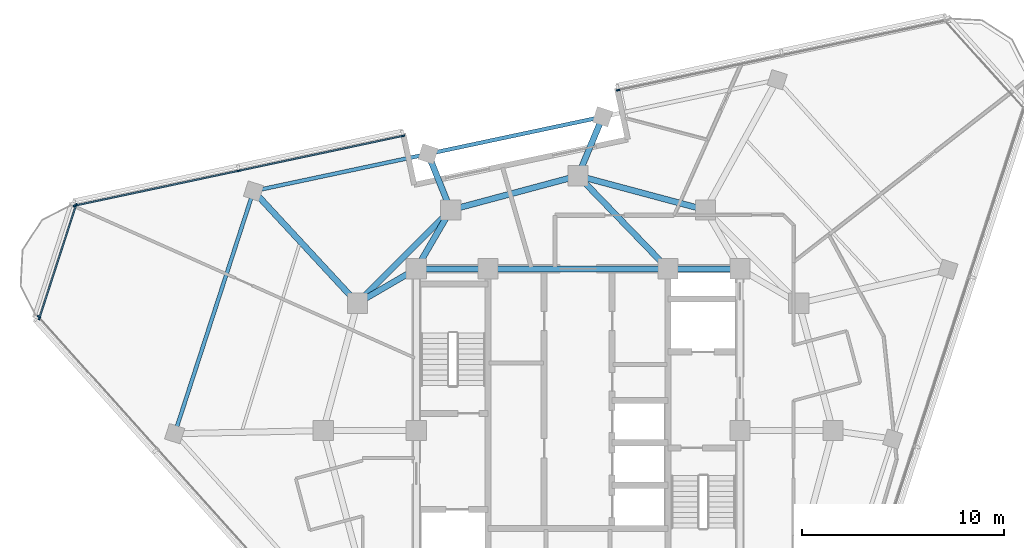
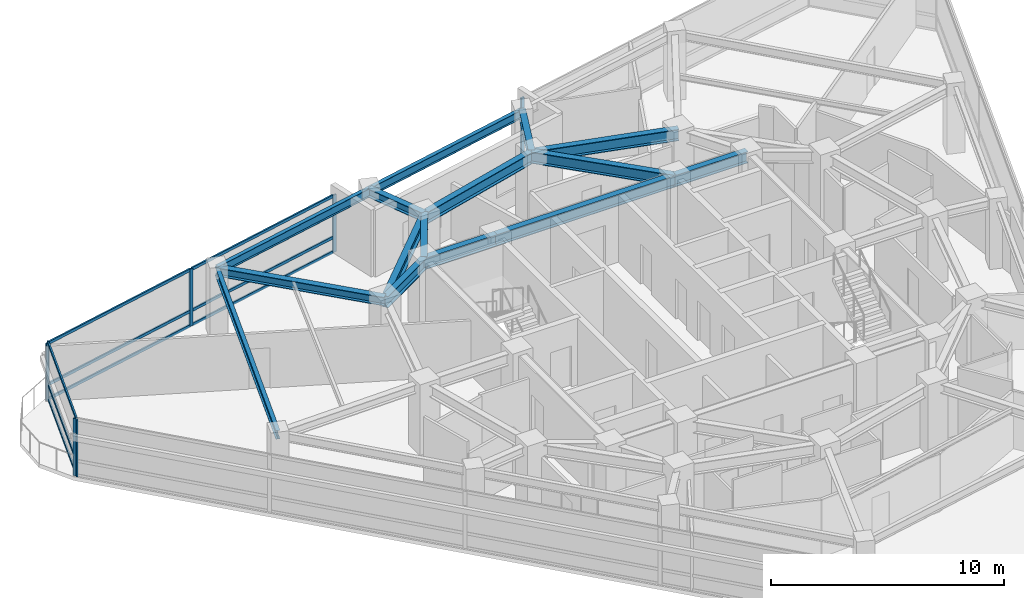
# One storey, part 5 of 15: 16 members, 15 beams, 4 elements without a shape of their own.
"""IFC4 building model written with IfcOpenShell, lengths in metres."""

from ifc_helpers import new_model, si_unit, direction, frame, origin, origin_2d, place, context, subcontext, project, spatial, rectangle, i_section, extrude, material, layer, layer_set, material_profile, profile_set, type_object, element, aggregate, save


model = new_model("IFC4")

# Units and contexts
model_context = context("Model", 3, precision=1e-05, world=origin(), true_north=direction((0.0, 1.0)))
body_context = subcontext(model_context, "Body", "Model", "MODEL_VIEW")
ifc_project = project(units=[si_unit("LENGTHUNIT", "METRE"), si_unit("AREAUNIT", "SQUARE_METRE"), si_unit("VOLUMEUNIT", "CUBIC_METRE"), si_unit("PLANEANGLEUNIT", "RADIAN"), si_unit("MASSUNIT", "GRAM", prefix="KILO")], contexts=[model_context])

# Site, building, storey
site_placement = place(None, origin())
site = spatial("IfcSite", under=ifc_project, at=site_placement, CompositionType="ELEMENT")
building_placement = place(site_placement, origin())
building = spatial("IfcBuilding", under=site, at=building_placement, Name="Terralouvre Media Tower", CompositionType="ELEMENT")
storey_placement = place(building_placement, frame((0.0, 0.0, 301.699951171875)))
storey = spatial("IfcBuildingStorey", under=building, at=storey_placement, Name="L78", CompositionType="ELEMENT", Elevation=301.699951171875)

# Curtain wall, members
ifc_material_1 = material(Name="Low-iron laminated double glazing with solar-control coating", Category="glass")
ifc_layer_1 = layer(ifc_material_1, 0.1650390625, Name="Faceted Glass-Point Crown Curtain Wall CW-06")
ifc_layer_set_1 = layer_set([ifc_layer_1], Name="Low-iron laminated double glazing with solar-control coating")
curtain_wall_type_1 = type_object("IfcCurtainWallType", Name="Faceted Glass-Point Crown Curtain Wall CW-06", PredefinedType="NOTDEFINED", material=ifc_layer_set_1)
curtain_wall_1_placement = place(storey_placement, origin())
curtain_wall_1 = element("IfcCurtainWall", 1, at=curtain_wall_1_placement, inside=storey, type_object=curtain_wall_type_1, Name="L78 Right Flank Curtain Wall F1", PredefinedType="NOTDEFINED")
ifc_material_2 = material(Name="Anodised extruded aluminium 6063-T6", Category="aluminium")
ifc_material_profile_1 = material_profile(ifc_material_2, rectangle(XDim=0.074951171875, YDim=0.14990234375, at=origin_2d()), Name="ALU 75x150")
ifc_profile_set_1 = profile_set([ifc_material_profile_1], Name="Anodised extruded aluminium 6063-T6")
member_type_1 = type_object("IfcMemberType", Name="Curtain-Wall Horizontal Transom TR-150", PredefinedType="USERDEFINED", material=ifc_profile_set_1)
member_1_placement = place(storey_placement, frame((-8.693603515625, 14.567138671875, 0.03759765625), z_axis=(-0.978148883033, -0.207905657984, 0.0), x_axis=(0.207905657984, -0.978148883033, 0.0)))
member_1 = element("IfcMember", 2, at=member_1_placement, type_object=member_type_1, Name="CW-06 transom 1.1", ObjectType="TRANSOM", PredefinedType="USERDEFINED", context=body_context, shape_type="SweptSolid", body=[
    extrude(rectangle(XDim=0.074951171875, YDim=0.14990234375, at=origin_2d()), origin(), (0.0, 0.0, 1.0), 8.217529296875),
])
member_2_placement = place(storey_placement, frame((-8.693603515625, 14.567138671875, 0.800048828125), z_axis=(-0.978148883033, -0.207905657984, 0.0), x_axis=(0.207905657984, -0.978148883033, 0.0)))
member_2 = element("IfcMember", 3, at=member_2_placement, type_object=member_type_1, Name="CW-06 transom 1.2", ObjectType="TRANSOM", PredefinedType="USERDEFINED", context=body_context, shape_type="SweptSolid", body=[
    extrude(rectangle(XDim=0.074951171875, YDim=0.14990234375, at=origin_2d()), origin(), (0.0, 0.0, 1.0), 8.217529296875),
])
member_3_placement = place(storey_placement, frame((-8.693603515625, 14.567138671875, 2.962646484375), z_axis=(-0.978148883033, -0.207905657984, 0.0), x_axis=(0.207905657984, -0.978148883033, 0.0)))
member_3 = element("IfcMember", 4, at=member_3_placement, type_object=member_type_1, Name="CW-06 transom 1.3", ObjectType="TRANSOM", PredefinedType="USERDEFINED", context=body_context, shape_type="SweptSolid", body=[
    extrude(rectangle(XDim=0.074951171875, YDim=0.14990234375, at=origin_2d()), origin(), (0.0, 0.0, 1.0), 8.217529296875),
])
member_4_placement = place(storey_placement, frame((-16.804931640625, 12.843017578125, 0.03759765625), z_axis=(-0.978147598799, -0.207911699918, 0.0), x_axis=(0.207911699918, -0.978147598799, 0.0)))
member_4 = element("IfcMember", 5, at=member_4_placement, type_object=member_type_1, Name="CW-06 transom 2.1", ObjectType="TRANSOM", PredefinedType="USERDEFINED", context=body_context, shape_type="SweptSolid", body=[
    extrude(rectangle(XDim=0.074951171875, YDim=0.14990234375, at=origin_2d()), origin(), (0.0, 0.0, 1.0), 8.217529296875),
])
member_5_placement = place(storey_placement, frame((-16.804931640625, 12.843017578125, 0.800048828125), z_axis=(-0.978147598799, -0.207911699918, 0.0), x_axis=(0.207911699918, -0.978147598799, 0.0)))
member_5 = element("IfcMember", 6, at=member_5_placement, type_object=member_type_1, Name="CW-06 transom 2.2", ObjectType="TRANSOM", PredefinedType="USERDEFINED", context=body_context, shape_type="SweptSolid", body=[
    extrude(rectangle(XDim=0.074951171875, YDim=0.14990234375, at=origin_2d()), origin(), (0.0, 0.0, 1.0), 8.217529296875),
])
member_6_placement = place(storey_placement, frame((-16.804931640625, 12.843017578125, 2.962646484375), z_axis=(-0.978147598799, -0.207911699918, 0.0), x_axis=(0.207911699918, -0.978147598799, 0.0)))
member_6 = element("IfcMember", 7, at=member_6_placement, type_object=member_type_1, Name="CW-06 transom 2.3", ObjectType="TRANSOM", PredefinedType="USERDEFINED", context=body_context, shape_type="SweptSolid", body=[
    extrude(rectangle(XDim=0.074951171875, YDim=0.14990234375, at=origin_2d()), origin(), (0.0, 0.0, 1.0), 8.217529296875),
])

ifc_material_3 = material(Name="Low-iron laminated double glazing with solar-control coating", Category="glass")
ifc_layer_2 = layer(ifc_material_3, 0.1650390625, Name="Rounded Wind-Corner Curved Glazing CW-04")
ifc_layer_set_2 = layer_set([ifc_layer_2], Name="Low-iron laminated double glazing with solar-control coating")
curtain_wall_type_2 = type_object("IfcCurtainWallType", Name="Rounded Wind-Corner Curved Glazing CW-04", PredefinedType="NOTDEFINED", material=ifc_layer_set_2)
curtain_wall_2_placement = place(storey_placement, origin())
curtain_wall_2 = element("IfcCurtainWall", 8, at=curtain_wall_2_placement, inside=storey, type_object=curtain_wall_type_2, Name="L78 Rounded Wind-Corner Curtain Wall C2", PredefinedType="NOTDEFINED")
member_7_placement = place(storey_placement, frame((-24.831298828125, 11.121826171875, 0.03759765625), z_axis=(-0.308980573489, -0.951068349387, 0.0), x_axis=(0.951068349387, -0.308980573489, 0.0)))
member_7 = element("IfcMember", 9, at=member_7_placement, type_object=member_type_1, Name="CW-04 transom 1.1", ObjectType="TRANSOM", PredefinedType="USERDEFINED", context=body_context, shape_type="SweptSolid", body=[
    extrude(rectangle(XDim=0.074951171875, YDim=0.14990234375, at=origin_2d()), origin(), (0.0, 0.0, 1.0), 5.808349609375),
])
member_8_placement = place(storey_placement, frame((-24.831298828125, 11.121826171875, 0.800048828125), z_axis=(-0.308980573489, -0.951068349387, 0.0), x_axis=(0.951068349387, -0.308980573489, 0.0)))
member_8 = element("IfcMember", 10, at=member_8_placement, type_object=member_type_1, Name="CW-04 transom 1.2", ObjectType="TRANSOM", PredefinedType="USERDEFINED", context=body_context, shape_type="SweptSolid", body=[
    extrude(rectangle(XDim=0.074951171875, YDim=0.14990234375, at=origin_2d()), origin(), (0.0, 0.0, 1.0), 5.808349609375),
])
member_9_placement = place(storey_placement, frame((-24.831298828125, 11.121826171875, 2.962646484375), z_axis=(-0.308980573489, -0.951068349387, 0.0), x_axis=(0.951068349387, -0.308980573489, 0.0)))
member_9 = element("IfcMember", 11, at=member_9_placement, type_object=member_type_1, Name="CW-04 transom 1.3", ObjectType="TRANSOM", PredefinedType="USERDEFINED", context=body_context, shape_type="SweptSolid", body=[
    extrude(rectangle(XDim=0.074951171875, YDim=0.14990234375, at=origin_2d()), origin(), (0.0, 0.0, 1.0), 5.808349609375),
])

# Curtain wall, member
curtain_wall_3_placement = place(storey_placement, origin())
curtain_wall_3 = element("IfcCurtainWall", 12, at=curtain_wall_3_placement, inside=storey, type_object=curtain_wall_type_1, Name="L78 Left Flank Curtain Wall F1", PredefinedType="NOTDEFINED")
ifc_material_4 = material(Name="Anodised extruded aluminium 6063-T6", Category="aluminium")
ifc_material_profile_2 = material_profile(ifc_material_4, rectangle(XDim=0.074951171875, YDim=0.179931640625, at=origin_2d()), Name="ALU 75x180")
ifc_profile_set_2 = profile_set([ifc_material_profile_2], Name="Anodised extruded aluminium 6063-T6")
member_type_2 = type_object("IfcMemberType", Name="Curtain-Wall Vertical Mullion ML-180", PredefinedType="MULLION", material=ifc_profile_set_2)
member_10_placement = place(storey_placement, frame((1.98046875, 16.8359375, 0.0), z_axis=(0.0, 0.0, 1.0), x_axis=(0.207911749648, -0.978147588229, 0.0)))
member_10 = element("IfcMember", 13, at=member_10_placement, type_object=member_type_2, Name="CW-06 mullion 3", PredefinedType="MULLION", context=body_context, shape_type="SweptSolid", body=[
    extrude(rectangle(XDim=0.074951171875, YDim=0.179931640625, at=origin_2d()), origin(), (0.0, 0.0, 1.0), 3.0),
])
aggregate(curtain_wall_3, [member_10])

# Member
member_11_placement = place(storey_placement, frame((-8.656982421875, 14.574951171875, 0.0), z_axis=(0.0, 0.0, 1.0), x_axis=(0.20791129743, -0.978147684351, 0.0)))
member_11 = element("IfcMember", 14, at=member_11_placement, type_object=member_type_2, Name="CW-06 mullion 1", PredefinedType="MULLION", context=body_context, shape_type="SweptSolid", body=[
    extrude(rectangle(XDim=0.074951171875, YDim=0.179931640625, at=origin_2d()), origin(), (0.0, 0.0, 1.0), 3.0),
])

member_12_placement = place(storey_placement, frame((-16.768310546875, 12.850830078125, 0.0), z_axis=(0.0, 0.0, 1.0), x_axis=(0.20791129743, -0.978147684351, 0.0)))
member_12 = element("IfcMember", 15, at=member_12_placement, type_object=member_type_2, Name="CW-06 mullion 2", PredefinedType="MULLION", context=body_context, shape_type="SweptSolid", body=[
    extrude(rectangle(XDim=0.074951171875, YDim=0.179931640625, at=origin_2d()), origin(), (0.0, 0.0, 1.0), 3.0),
])

member_13_placement = place(storey_placement, frame((-24.879638671875, 11.126708984375, 0.0), z_axis=(0.0, 0.0, 1.0), x_axis=(0.20791129743, -0.978147684351, 0.0)))
member_13 = element("IfcMember", 16, at=member_13_placement, type_object=member_type_2, Name="CW-06 mullion 3", PredefinedType="MULLION", context=body_context, shape_type="SweptSolid", body=[
    extrude(rectangle(XDim=0.074951171875, YDim=0.179931640625, at=origin_2d()), origin(), (0.0, 0.0, 1.0), 3.0),
])

aggregate(curtain_wall_1, [member_11, member_12, member_13, member_1, member_2, member_3, member_4, member_5, member_6])

# Curtain wall, member
curtain_wall_4_placement = place(storey_placement, origin())
curtain_wall_4 = element("IfcCurtainWall", 17, at=curtain_wall_4_placement, inside=storey, type_object=curtain_wall_type_1, Name="L78 Facade Curtain Wall F2", PredefinedType="NOTDEFINED")
member_14_placement = place(storey_placement, frame((-26.668212890625, 5.6220703125, 0.0), z_axis=(0.0, 0.0, 1.0), x_axis=(0.743144855036, 0.669130573531, 0.0)))
member_14 = element("IfcMember", 18, at=member_14_placement, type_object=member_type_2, Name="CW-06 mullion 1", PredefinedType="MULLION", context=body_context, shape_type="SweptSolid", body=[
    extrude(rectangle(XDim=0.074951171875, YDim=0.179931640625, at=origin_2d()), origin(), (0.0, 0.0, 1.0), 3.0),
])
aggregate(curtain_wall_4, [member_14])

# Member
member_15_placement = place(storey_placement, frame((-24.819580078125, 11.157470703125, 0.0), z_axis=(0.0, 0.0, 1.0), x_axis=(0.951056661679, -0.30901654693, 0.0)))
member_15 = element("IfcMember", 19, at=member_15_placement, type_object=member_type_2, Name="CW-04 mullion 1", PredefinedType="MULLION", context=body_context, shape_type="SweptSolid", body=[
    extrude(rectangle(XDim=0.074951171875, YDim=0.179931640625, at=origin_2d()), origin(), (0.0, 0.0, 1.0), 3.0),
])

member_16_placement = place(storey_placement, frame((-26.6376953125, 5.56201171875, 0.0), z_axis=(0.0, 0.0, 1.0), x_axis=(0.951056661679, -0.30901654693, 0.0)))
member_16 = element("IfcMember", 20, at=member_16_placement, type_object=member_type_2, Name="CW-04 mullion 2", PredefinedType="MULLION", context=body_context, shape_type="SweptSolid", body=[
    extrude(rectangle(XDim=0.074951171875, YDim=0.179931640625, at=origin_2d()), origin(), (0.0, 0.0, 1.0), 3.0),
])

aggregate(curtain_wall_2, [member_15, member_16, member_7, member_8, member_9])

# Beams
ifc_material_5 = material(Name="Structural steel S355J2", Category="steel")
ifc_material_profile_3 = material_profile(ifc_material_5, i_section(OverallWidth=0.18994140625, OverallDepth=0.449951171875, WebThickness=0.009521484375, FlangeThickness=0.0146484375, at=origin_2d()), Name="IPE 450")
ifc_profile_set_3 = profile_set([ifc_material_profile_3], Name="Structural steel S355J2")
beam_type_1 = type_object("IfcBeamType", Name="Perimeter Spandrel Beam SPB-450 (IPE 450)", PredefinedType="SPANDREL", material=ifc_profile_set_3)
for number, where, z_axis, x_axis, name in (
    (21, (1.212158203125, 15.517578125, 3.275146484375), (-0.97814485548, -0.207924605802, 0.0), (0.207924605802, -0.97814485548, 0.0), "L78 Framing Beam BM-L78-PR10"),
    (22, (-7.4189453125, 13.682861328125, 3.275146484375), (-0.97814485548, -0.207924605802, 0.0), (0.207924605802, -0.97814485548, 0.0), "L78 Framing Beam BM-L78-PR11"),
):
    element("IfcBeam", number, at=place(storey_placement, frame(where, z_axis=z_axis, x_axis=x_axis)), inside=storey, type_object=beam_type_1, Name=name, PredefinedType="SPANDREL", context=body_context, shape_type="SweptSolid", body=[
        extrude(i_section(OverallWidth=0.18994140625, OverallDepth=0.449951171875, WebThickness=0.009521484375, FlangeThickness=0.0146484375, at=origin_2d()), origin(), (0.0, 0.0, 1.0), 8.823974609375),
    ])
beam_1_placement = place(storey_placement, frame((-16.050048828125, 11.84814453125, 3.275146484375), z_axis=(-0.309020441102, -0.951055396379, 0.0), x_axis=(0.951055396379, -0.309020441102, 0.0)))
element("IfcBeam", 23, at=beam_1_placement, inside=storey, type_object=beam_type_1, Name="L78 Framing Beam BM-L78-PR12", PredefinedType="SPANDREL", context=body_context, shape_type="SweptSolid", body=[
    extrude(i_section(OverallWidth=0.18994140625, OverallDepth=0.449951171875, WebThickness=0.009521484375, FlangeThickness=0.0146484375, at=origin_2d()), origin(), (0.0, 0.0, 1.0), 12.616943359375),
])
ifc_material_6 = material(Name="Structural steel S355J2", Category="steel")
ifc_material_profile_4 = material_profile(ifc_material_6, i_section(OverallWidth=0.300048828125, OverallDepth=0.449951171875, WebThickness=0.013916015625, FlangeThickness=0.02587890625, at=origin_2d()), Name="HEB 450")
ifc_profile_set_4 = profile_set([ifc_material_profile_4], Name="Structural steel S355J2")
beam_type_2 = type_object("IfcBeamType", Name="Primary Floor Girder B-HEB450 (HEB 450)", PredefinedType="BEAM", material=ifc_profile_set_4)
beam_2_placement = place(storey_placement, frame((0.0, 12.60009765625, 3.275146484375), z_axis=(0.383682372078, 0.923465125143, 0.0), x_axis=(-0.923465125143, 0.383682372078, 0.0)))
element("IfcBeam", 24, at=beam_2_placement, inside=storey, type_object=beam_type_2, Name="L78 Framing Beam BM-L78-RD10", PredefinedType="BEAM", context=body_context, shape_type="SweptSolid", body=[
    extrude(i_section(OverallWidth=0.300048828125, OverallDepth=0.449951171875, WebThickness=0.013916015625, FlangeThickness=0.02587890625, at=origin_2d()), origin(), (0.0, 0.0, 1.0), 3.1591796875),
])
beam_3_placement = place(storey_placement, frame((-6.300048828125, 10.911865234375, 3.275146484375), z_axis=(-0.374417122208, 0.927260383386, 0.0), x_axis=(-0.927260383386, -0.374417122208, 0.0)))
element("IfcBeam", 25, at=beam_3_placement, inside=storey, type_object=beam_type_2, Name="L78 Framing Beam BM-L78-RD11", PredefinedType="BEAM", context=body_context, shape_type="SweptSolid", body=[
    extrude(i_section(OverallWidth=0.300048828125, OverallDepth=0.449951171875, WebThickness=0.013916015625, FlangeThickness=0.02587890625, at=origin_2d()), origin(), (0.0, 0.0, 1.0), 2.98828125),
])
beam_4_placement = place(storey_placement, frame((-10.911865234375, 6.300048828125, 3.275146484375), z_axis=(-0.679483353105, 0.733690924609, 0.0), x_axis=(-0.733690924609, -0.679483353105, 0.0)))
element("IfcBeam", 26, at=beam_4_placement, inside=storey, type_object=beam_type_2, Name="L78 Framing Beam BM-L78-RD12", PredefinedType="BEAM", context=body_context, shape_type="SweptSolid", body=[
    extrude(i_section(OverallWidth=0.300048828125, OverallDepth=0.449951171875, WebThickness=0.013916015625, FlangeThickness=0.02587890625, at=origin_2d()), origin(), (0.0, 0.0, 1.0), 7.56201171875),
])
ifc_material_7 = material(Name="Structural steel S460M", Category="steel")
ifc_material_profile_5 = material_profile(ifc_material_7, i_section(OverallWidth=0.300048828125, OverallDepth=0.60009765625, WebThickness=0.015380859375, FlangeThickness=0.030029296875, at=origin_2d()), Name="HEB 600")
ifc_profile_set_5 = profile_set([ifc_material_profile_5], Name="Structural steel S460M")
beam_type_3 = type_object("IfcBeamType", Name="Primary Floor Girder B-HEB600 (HEB 600)", PredefinedType="BEAM", material=ifc_profile_set_5)
beam_5_placement = place(storey_placement, frame((8.0, 8.0, 3.199951171875), z_axis=(-1.0, 0.0, 0.0), x_axis=(0.0, -1.0, 0.0)))
element("IfcBeam", 27, at=beam_5_placement, inside=storey, type_object=beam_type_3, Name="L78 Framing Beam BM-L78-CPR06", PredefinedType="BEAM", context=body_context, shape_type="SweptSolid", body=[
    extrude(i_section(OverallWidth=0.300048828125, OverallDepth=0.60009765625, WebThickness=0.015380859375, FlangeThickness=0.030029296875, at=origin_2d()), origin(), (0.0, 0.0, 1.0), 3.550048828125),
])
beam_6_placement = place(storey_placement, frame((4.449951171875, 8.0, 3.199951171875), z_axis=(-1.0, 0.0, 0.0), x_axis=(0.0, -1.0, 0.0)))
element("IfcBeam", 28, at=beam_6_placement, inside=storey, type_object=beam_type_3, Name="L78 Framing Beam BM-L78-CPR07", PredefinedType="BEAM", context=body_context, shape_type="SweptSolid", body=[
    extrude(i_section(OverallWidth=0.300048828125, OverallDepth=0.60009765625, WebThickness=0.015380859375, FlangeThickness=0.030029296875, at=origin_2d()), origin(), (0.0, 0.0, 1.0), 8.89990234375),
])
beam_7_placement = place(storey_placement, frame((-4.449951171875, 8.0, 3.199951171875), z_axis=(-1.0, 0.0, 0.0), x_axis=(0.0, -1.0, 0.0)))
element("IfcBeam", 29, at=beam_7_placement, inside=storey, type_object=beam_type_3, Name="L78 Framing Beam BM-L78-CPR08", PredefinedType="BEAM", context=body_context, shape_type="SweptSolid", body=[
    extrude(i_section(OverallWidth=0.300048828125, OverallDepth=0.60009765625, WebThickness=0.015380859375, FlangeThickness=0.030029296875, at=origin_2d()), origin(), (0.0, 0.0, 1.0), 3.550048828125),
])
for number, where, z_axis, x_axis, name in (
    (30, (6.300048828125, 10.911865234375, 3.199951171875), (-0.965920481897, 0.258838989821, 0.0), (-0.258838989821, -0.965920481897, 0.0), "L78 Framing Beam BM-L78-MR08"),
    (31, (0.0, 12.60009765625, 3.199951171875), (-0.965920481897, -0.258838989821, 0.0), (0.258838989821, -0.965920481897, 0.0), "L78 Framing Beam BM-L78-MR09"),
):
    element("IfcBeam", number, at=place(storey_placement, frame(where, z_axis=z_axis, x_axis=x_axis)), inside=storey, type_object=beam_type_3, Name=name, PredefinedType="BEAM", context=body_context, shape_type="SweptSolid", body=[
        extrude(i_section(OverallWidth=0.300048828125, OverallDepth=0.60009765625, WebThickness=0.015380859375, FlangeThickness=0.030029296875, at=origin_2d()), origin(), (0.0, 0.0, 1.0), 6.522216796875),
    ])
beam_8_placement = place(storey_placement, frame((-6.300048828125, 10.911865234375, 3.199951171875), z_axis=(-0.707106781187, -0.707106781187, 0.0), x_axis=(0.707106781187, -0.707106781187, 0.0)))
element("IfcBeam", 32, at=beam_8_placement, inside=storey, type_object=beam_type_3, Name="L78 Framing Beam BM-L78-MR10", PredefinedType="BEAM", context=body_context, shape_type="SweptSolid", body=[
    extrude(i_section(OverallWidth=0.300048828125, OverallDepth=0.60009765625, WebThickness=0.015380859375, FlangeThickness=0.030029296875, at=origin_2d()), origin(), (0.0, 0.0, 1.0), 6.52197265625),
])
beam_9_placement = place(storey_placement, frame((4.449951171875, 8.0, 3.199951171875), z_axis=(-0.695279715726, 0.718739255155, 0.0), x_axis=(-0.718739255155, -0.695279715726, 0.0)))
element("IfcBeam", 33, at=beam_9_placement, inside=storey, type_object=beam_type_3, Name="L78 Framing Beam BM-L78-CM09", PredefinedType="BEAM", context=body_context, shape_type="SweptSolid", body=[
    extrude(i_section(OverallWidth=0.300048828125, OverallDepth=0.60009765625, WebThickness=0.015380859375, FlangeThickness=0.030029296875, at=origin_2d()), origin(), (0.0, 0.0, 1.0), 6.400146484375),
])
for number, where, z_axis, x_axis, name in (
    (34, (-8.0, 8.0, 3.199951171875), (0.504172629717, 0.863602894532, 0.0), (-0.863602894532, 0.504172629717, 0.0), "L78 Framing Beam BM-L78-CM10"),
    (35, (-8.0, 8.0, 3.199951171875), (-0.863602894532, -0.504172629717, 0.0), (0.504172629717, -0.863602894532, 0.0), "L78 Framing Beam BM-L78-CM11"),
):
    element("IfcBeam", number, at=place(storey_placement, frame(where, z_axis=z_axis, x_axis=x_axis)), inside=storey, type_object=beam_type_3, Name=name, PredefinedType="BEAM", context=body_context, shape_type="SweptSolid", body=[
        extrude(i_section(OverallWidth=0.300048828125, OverallDepth=0.60009765625, WebThickness=0.015380859375, FlangeThickness=0.030029296875, at=origin_2d()), origin(), (0.0, 0.0, 1.0), 3.371826171875),
    ])

save(model, "model.ifc")
